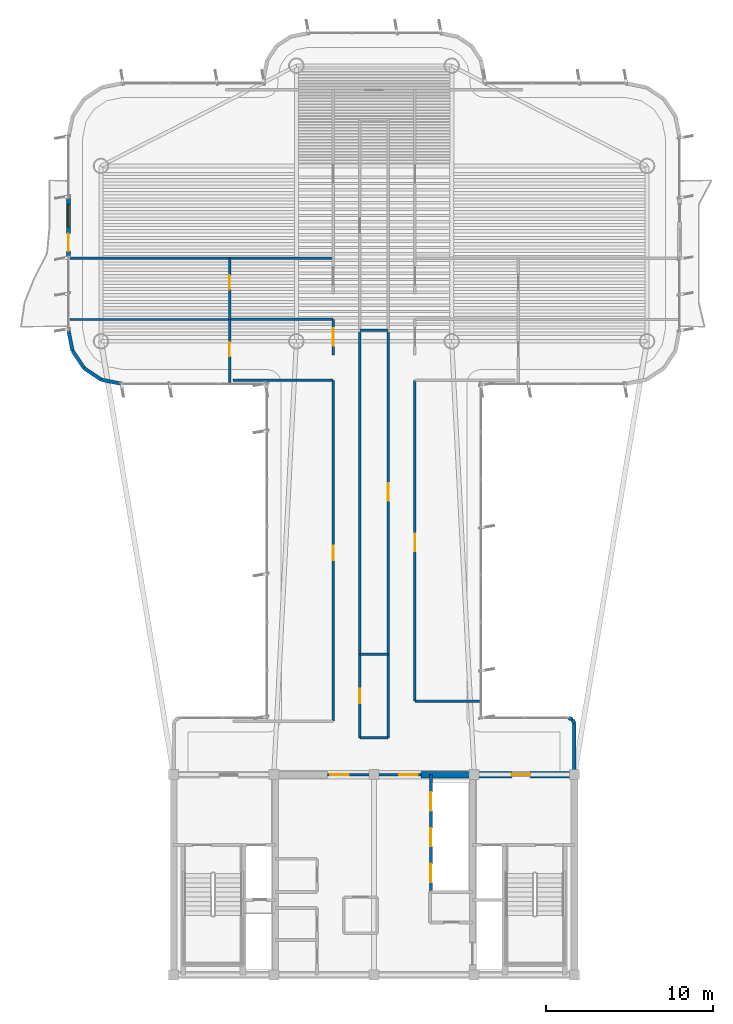
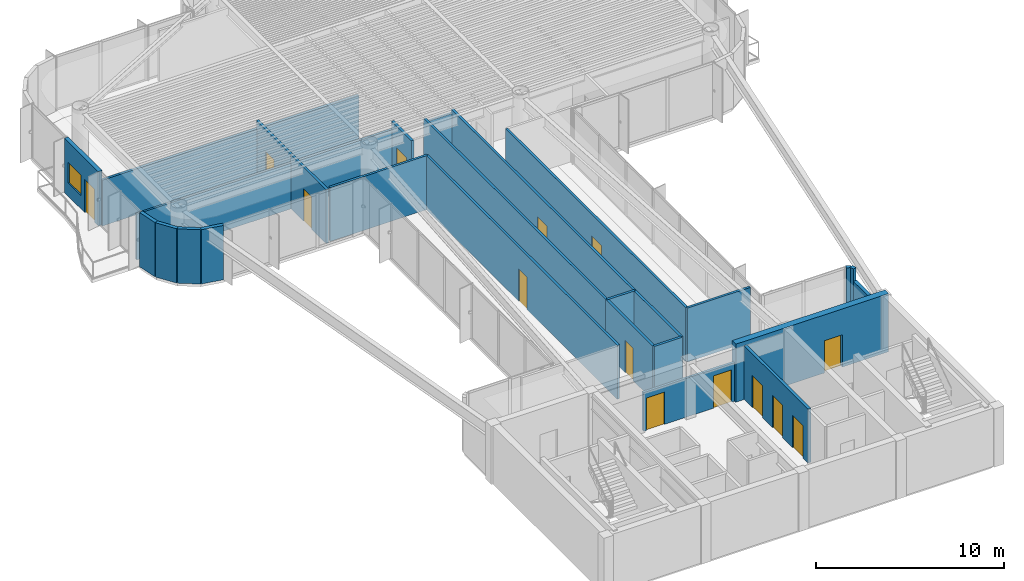
# One storey, part 11 of 15: 28 walls, 14 doors, 1 window, 15 openings.
"""IFC4 building model written with IfcOpenShell, lengths in metres."""

from ifc_helpers import new_model, si_unit, direction, frame, frame_2d, origin, origin_2d, place, context, subcontext, project, spatial, rectangle, extrude, source, transform, mapped, material, layer, layer_set, type_object, element, fill, save


model = new_model("IFC4")

# Units and contexts
model_context = context("Model", 3, precision=1e-05, world=origin(), true_north=direction((0.0, 1.0)))
body_context = subcontext(model_context, "Body", "Model", "MODEL_VIEW")
ifc_project = project(units=[si_unit("LENGTHUNIT", "METRE"), si_unit("AREAUNIT", "SQUARE_METRE"), si_unit("VOLUMEUNIT", "CUBIC_METRE"), si_unit("PLANEANGLEUNIT", "RADIAN"), si_unit("MASSUNIT", "GRAM", prefix="KILO")], contexts=[model_context])

# Site, building, storey
site_placement = place(None, origin())
site = spatial("IfcSite", under=ifc_project, at=site_placement, CompositionType="ELEMENT")
building_placement = place(site_placement, origin())
building = spatial("IfcBuilding", under=site, at=building_placement, Name="Brelvock Crest Care Tower", CompositionType="ELEMENT")
storey_placement = place(building_placement, frame((0.0, 0.0, 241.919921875)))
storey = spatial("IfcBuildingStorey", under=building, at=storey_placement, Name="L61", CompositionType="ELEMENT", Elevation=241.919921875)

# Wall, opening, door
ifc_material_1 = material(Name="Concrete S65 (65 MPa)", Category="concrete")
ifc_layer_1 = layer(ifc_material_1, 0.39990234375, Name="WL-CS4")
ifc_layer_set_1 = layer_set([ifc_layer_1], Name="Concrete S65 (65 MPa)")
wall_type_1 = type_object("IfcWallType", Name="WL-CS4", PredefinedType="SHEAR", material=ifc_layer_set_1)
wall_1_placement = place(storey_placement, frame((38.800048828125, 18.0, 0.0), z_axis=(0.0, 0.0, 1.0), x_axis=(1.0, 0.0, 0.0)))
wall_1 = element("IfcWall", 1, at=wall_1_placement, inside=storey, type_object=wall_type_1, Name="L61 Core North-East Shear Wall", PredefinedType="SHEAR", context=body_context, shape_type="SweptSolid", body=[
    extrude(rectangle(XDim=9.39990234375, YDim=0.39990234375, at=frame_2d((4.699951171875, 0.0))), origin(), (0.0, 0.0, 1.0), 3.780029296875),
])
opening_1_placement = place(wall_1_placement, frame((5.449951171875, 0.0, 0.0)))
opening_1 = element("IfcOpeningElement", 2, at=opening_1_placement, cuts=wall_1, Name="Opening FD-1", PredefinedType="OPENING", context=body_context, shape_type="SweptSolid", body=[
    extrude(rectangle(XDim=1.10009765625, YDim=2.10009765625, at=origin_2d()), frame((0.550048828125, 0.2099609375, 1.050048828125), z_axis=(0.0, -1.0, 0.0), x_axis=(1.0, 0.0, 0.0)), (0.0, 0.0, 1.0), 0.419921875),
])
ifc_material_2 = material(Name="Steel Grade 350", Category="steel")
door_type_1 = type_object("IfcDoorType", Name="DR-FFL1", OperationType="NOTDEFINED", PredefinedType="DOOR", material=ifc_material_2)
shared_shape_1 = source(origin(), body_context, "Body", "SweptSolid", [
    extrude(rectangle(XDim=1.10009765625, YDim=2.10009765625, at=origin_2d()), frame((0.550048828125, 0.02490234375, 1.050048828125), z_axis=(0.0, -1.0, 0.0), x_axis=(1.0, 0.0, 0.0)), (0.0, 0.0, 1.0), 0.050048828125),
])
door_1_placement = place(opening_1_placement, origin())
door_1 = element("IfcDoor", 3, at=door_1_placement, inside=storey, type_object=door_type_1, Name="L61 Firefighting Lobby FFL-2 Exit Door", OperationType="SINGLE_SWING_RIGHT", OverallHeight=2.10009765625, OverallWidth=1.10009765625, PredefinedType="DOOR", context=body_context, shape_type="MappedRepresentation", body=[
    mapped(shared_shape_1, transform((0.0, 0.0, 0.0), x_axis=(1.0, 0.0, 0.0), y_axis=(0.0, 1.0, 0.0), z_axis=(0.0, 0.0, 1.0), scale=1.0)),
])
fill(opening_1, door_1)

# Wall, openings, door, window
ifc_material_3 = material(Name="Precast concrete N40 (40 MPa)", Category="concrete")
ifc_layer_2 = layer(ifc_material_3, 0.239990234375, Name="WL-EX1")
ifc_layer_set_2 = layer_set([ifc_layer_2], Name="Precast concrete N40 (40 MPa)")
wall_type_2 = type_object("IfcWallType", Name="WL-EX1", PredefinedType="SOLIDWALL", material=ifc_layer_set_2)
wall_2_placement = place(storey_placement, frame((17.699951171875, 48.949951171875, 0.0), z_axis=(0.0, 0.0, 1.0), x_axis=(0.0, 1.0, 0.0)))
wall_2 = element("IfcWall", 4, at=wall_2_placement, inside=storey, type_object=wall_type_2, Name="L61 Exterior Spandrel Wall WL-BAL-L61-W", PredefinedType="SOLIDWALL", context=body_context, shape_type="SweptSolid", body=[
    extrude(rectangle(XDim=3.60009765625, YDim=0.239990234375, at=frame_2d((1.800048828125, 0.0))), origin(), (0.0, 0.0, 1.0), 3.530029296875),
])
opening_2_placement = place(wall_2_placement, frame((0.39990234375, 0.0, 0.0)))
opening_2 = element("IfcOpeningElement", 5, at=opening_2_placement, cuts=wall_2, Name="Opening BD-1", PredefinedType="OPENING", context=body_context, shape_type="SweptSolid", body=[
    extrude(rectangle(XDim=1.050048828125, YDim=2.14990234375, at=origin_2d()), frame((0.52490234375, 0.1298828125, 1.074951171875), z_axis=(0.0, -1.0, 0.0), x_axis=(1.0, 0.0, 0.0)), (0.0, 0.0, 1.0), 0.260009765625),
])
opening_3_placement = place(wall_2_placement, frame((1.85009765625, 0.0, 0.85009765625)))
opening_3 = element("IfcOpeningElement", 6, at=opening_3_placement, cuts=wall_2, Name="Opening W-01", PredefinedType="OPENING", context=body_context, shape_type="SweptSolid", body=[
    extrude(rectangle(XDim=1.35009765625, YDim=1.35009765625, at=origin_2d()), frame((0.675048828125, 0.1298828125, 0.675048828125), z_axis=(0.0, -1.0, 0.0), x_axis=(1.0, 0.0, 0.0)), (0.0, 0.0, 1.0), 0.260009765625),
])
ifc_material_4 = material(Name="Dark Glass Double Glazed Low-E", Category="glass")
door_type_2 = type_object("IfcDoorType", Name="DR-BAL1", OperationType="NOTDEFINED", PredefinedType="DOOR", material=ifc_material_4)
shared_shape_2 = source(origin(), body_context, "Body", "SweptSolid", [
    extrude(rectangle(XDim=1.050048828125, YDim=2.14990234375, at=origin_2d()), frame((0.52490234375, 0.02490234375, 1.074951171875), z_axis=(0.0, -1.0, 0.0), x_axis=(1.0, 0.0, 0.0)), (0.0, 0.0, 1.0), 0.050048828125),
])
door_2_placement = place(opening_2_placement, origin())
door_2 = element("IfcDoor", 7, at=door_2_placement, inside=storey, type_object=door_type_2, Name="L61 W Wave Balcony Glazed Door", OperationType="SINGLE_SWING_LEFT", OverallHeight=2.14990234375, OverallWidth=1.050048828125, PredefinedType="DOOR", context=body_context, shape_type="MappedRepresentation", body=[
    mapped(shared_shape_2, transform((0.0, 0.0, 0.0), x_axis=(1.0, 0.0, 0.0), y_axis=(0.0, 1.0, 0.0), z_axis=(0.0, 0.0, 1.0), scale=1.0)),
])
fill(opening_2, door_2)
window_type = type_object("IfcWindowType", Name="WN-EX1", PartitioningType="SINGLE_PANEL", PredefinedType="WINDOW", material=ifc_material_4)
shared_shape_3 = source(origin(), body_context, "Body", "SweptSolid", [
    extrude(rectangle(XDim=1.35009765625, YDim=1.35009765625, at=origin_2d()), frame((0.675048828125, 0.030029296875, 0.675048828125), z_axis=(0.0, -1.0, 0.0), x_axis=(1.0, 0.0, 0.0)), (0.0, 0.0, 1.0), 0.06005859375),
])
window_placement = place(opening_3_placement, origin())
window = element("IfcWindow", 8, at=window_placement, inside=storey, type_object=window_type, Name="L61 W Suite Casement Window", OverallHeight=1.35009765625, OverallWidth=1.35009765625, PartitioningType="SINGLE_PANEL", PredefinedType="WINDOW", context=body_context, shape_type="MappedRepresentation", body=[
    mapped(shared_shape_3, transform((0.0, 0.0, 0.0), x_axis=(1.0, 0.0, 0.0), y_axis=(0.0, 1.0, 0.0), z_axis=(0.0, 0.0, 1.0), scale=1.0)),
])
fill(opening_3, window)

# Walls
ifc_layer_3 = layer(ifc_material_3, 0.215087890625, Name="WL-EX2")
ifc_layer_set_3 = layer_set([ifc_layer_3], Name="Precast concrete N40 (40 MPa)")
wall_type_3 = type_object("IfcWallType", Name="WL-EX2", PredefinedType="SOLIDWALL", material=ifc_layer_set_3)
wall_3_placement = place(storey_placement, frame((47.8974609375, 21.297607421875, 0.0), z_axis=(0.0, 0.0, 1.0), x_axis=(0.382673670509, -0.923883575944, 0.0)))
element("IfcWall", 9, at=wall_3_placement, inside=storey, type_object=wall_type_3, Name="L61 Rounded Corner Wall 00", PredefinedType="SOLIDWALL", context=body_context, shape_type="SweptSolid", body=[
    extrude(rectangle(XDim=0.26806640625, YDim=0.215087890625, at=frame_2d((0.134033203125, 0.0))), origin(), (0.0, 0.0, 1.0), 3.530029296875),
])
wall_4_placement = place(storey_placement, frame((48.0, 21.050048828125, 0.0), z_axis=(0.0, 0.0, 1.0), x_axis=(0.0, -1.0, 0.0)))
element("IfcWall", 10, at=wall_4_placement, inside=storey, type_object=wall_type_3, Name="L61 Rounded Corner Wall 01", PredefinedType="SOLIDWALL", context=body_context, shape_type="SweptSolid", body=[
    extrude(rectangle(XDim=2.77001953125, YDim=0.215087890625, at=frame_2d((1.385009765625, 0.0))), origin(), (0.0, 0.0, 1.0), 2.718017578125),
])
for number, where, z_axis, x_axis, name in (
    (11, (20.89990234375, 41.39990234375, 0.0), (0.0, 0.0, 1.0), (-0.980775717779, 0.195138390419, 0.0), "L61 Rounded Corner Wall 13"),
    (12, (19.67529296875, 41.6435546875, 0.0), (0.0, 0.0, 1.0), (-0.831387912822, 0.555692485475, 0.0), "L61 Rounded Corner Wall 14"),
    (13, (18.63720703125, 42.33740234375, 0.0), (0.0, 0.0, 1.0), (-0.555557312883, 0.831478245117, 0.0), "L61 Rounded Corner Wall 15"),
    (14, (17.943603515625, 43.37548828125, 0.0), (0.0, 0.0, 1.0), (-0.195138390419, 0.980775717779, 0.0), "L61 Rounded Corner Wall 16"),
):
    element("IfcWall", number, at=place(storey_placement, frame(where, z_axis=z_axis, x_axis=x_axis)), inside=storey, type_object=wall_type_3, Name=name, PredefinedType="SOLIDWALL", context=body_context, shape_type="SweptSolid", body=[
        extrude(rectangle(XDim=1.24853515625, YDim=0.215087890625, at=frame_2d((0.624267578125, 0.0))), origin(), (0.0, 0.0, 1.0), 3.530029296875),
    ])
wall_5_placement = place(storey_placement, frame((47.64990234375, 21.39990234375, 0.0), z_axis=(0.0, 0.0, 1.0), x_axis=(0.924205486139, -0.381895560841, 0.0)))
element("IfcWall", 15, at=wall_5_placement, inside=storey, type_object=wall_type_3, Name="L61 Rounded Corner Wall 47", PredefinedType="SOLIDWALL", context=body_context, shape_type="SweptSolid", body=[
    extrude(rectangle(XDim=0.267822265625, YDim=0.215087890625, at=frame_2d((0.1337890625, 0.0))), origin(), (0.0, 0.0, 1.0), 3.530029296875),
])

# Wall, openings, doors
ifc_material_5 = material(Name="Masonry Blockwork Acoustic Partition", Category="masonry")
ifc_layer_4 = layer(ifc_material_5, 0.14990234375, Name="WL-INT1")
ifc_layer_set_4 = layer_set([ifc_layer_4], Name="Masonry Blockwork Acoustic Partition")
wall_type_4 = type_object("IfcWallType", Name="WL-INT1", PredefinedType="PARTITIONING", material=ifc_layer_set_4)
wall_6_placement = place(storey_placement, frame((33.199951171875, 18.0, 0.0), z_axis=(0.0, 0.0, 1.0), x_axis=(1.0, 0.0, 0.0)))
wall_6 = element("IfcWall", 16, at=wall_6_placement, inside=storey, type_object=wall_type_4, Name="L61 Interior Wall WL-CORE-NPORT-L61", PredefinedType="PARTITIONING", context=body_context, shape_type="SweptSolid", body=[
    extrude(rectangle(XDim=5.60009765625, YDim=0.14990234375, at=frame_2d((2.800048828125, 0.0))), origin(), (0.0, 0.0, 1.0), 2.51513671875),
])
opening_4_placement = place(wall_6_placement, frame((0.18994140625, 0.0, 0.0)))
opening_4 = element("IfcOpeningElement", 17, at=opening_4_placement, cuts=wall_6, Name="Opening FD-1", PredefinedType="OPENING", context=body_context, shape_type="SweptSolid", body=[
    extrude(rectangle(XDim=1.10009765625, YDim=2.10009765625, at=origin_2d()), frame((0.550048828125, 0.0849609375, 1.050048828125), z_axis=(0.0, -1.0, 0.0), x_axis=(1.0, 0.0, 0.0)), (0.0, 0.0, 1.0), 0.169921875),
])
opening_5_placement = place(wall_6_placement, frame((4.31005859375, 0.0, 0.0)))
opening_5 = element("IfcOpeningElement", 18, at=opening_5_placement, cuts=wall_6, Name="Opening FD-1", PredefinedType="OPENING", context=body_context, shape_type="SweptSolid", body=[
    extrude(rectangle(XDim=1.10009765625, YDim=2.10009765625, at=origin_2d()), frame((0.550048828125, 0.0849609375, 1.050048828125), z_axis=(0.0, -1.0, 0.0), x_axis=(1.0, 0.0, 0.0)), (0.0, 0.0, 1.0), 0.169921875),
])
door_3_placement = place(opening_4_placement, origin())
door_3 = element("IfcDoor", 19, at=door_3_placement, inside=storey, type_object=door_type_1, Name="L61 Lift Lobby North Smoke Door West", OperationType="SINGLE_SWING_LEFT", OverallHeight=2.10009765625, OverallWidth=1.10009765625, PredefinedType="DOOR", context=body_context, shape_type="MappedRepresentation", body=[
    mapped(shared_shape_1, transform((0.0, 0.0, 0.0), x_axis=(1.0, 0.0, 0.0), y_axis=(0.0, 1.0, 0.0), z_axis=(0.0, 0.0, 1.0), scale=1.0)),
])
fill(opening_4, door_3)
door_4_placement = place(opening_5_placement, origin())
door_4 = element("IfcDoor", 20, at=door_4_placement, inside=storey, type_object=door_type_1, Name="L61 Lift Lobby North Smoke Door East", OperationType="SINGLE_SWING_RIGHT", OverallHeight=2.10009765625, OverallWidth=1.10009765625, PredefinedType="DOOR", context=body_context, shape_type="MappedRepresentation", body=[
    mapped(shared_shape_1, transform((0.0, 0.0, 0.0), x_axis=(1.0, 0.0, 0.0), y_axis=(0.0, 1.0, 0.0), z_axis=(0.0, 0.0, 1.0), scale=1.0)),
])
fill(opening_5, door_4)

# Walls
wall_7_placement = place(storey_placement, frame((38.449951171875, 22.39990234375, 0.0), z_axis=(0.0, 0.0, 1.0), x_axis=(1.0, 0.0, 0.0)))
element("IfcWall", 21, at=wall_7_placement, inside=storey, type_object=wall_type_4, Name="L61 Interior Wall WL-BX-L61-THRE-S", PredefinedType="PARTITIONING", context=body_context, shape_type="SweptSolid", body=[
    extrude(rectangle(XDim=3.873291015625, YDim=0.14990234375, at=frame_2d((1.9365234375, 0.0))), origin(), (0.0, 0.0, 1.0), 3.5),
])
wall_8_placement = place(storey_placement, frame((27.557861328125, 41.60009765625, 0.0), z_axis=(0.0, 0.0, 1.0), x_axis=(1.0, 0.0, 0.0)))
element("IfcWall", 22, at=wall_8_placement, inside=storey, type_object=wall_type_4, Name="L61 Interior Wall WL-BX-L61-CS-WR1A-S", PredefinedType="PARTITIONING", context=body_context, shape_type="SweptSolid", body=[
    extrude(rectangle(XDim=5.9921875, YDim=0.14990234375, at=frame_2d((2.99609375, 0.0))), origin(), (0.0, 0.0, 1.0), 3.5),
])
wall_9_placement = place(storey_placement, frame((35.14990234375, 44.6201171875, 0.0), z_axis=(0.0, 0.0, 1.0), x_axis=(1.0, 0.0, 0.0)))
element("IfcWall", 23, at=wall_9_placement, inside=storey, type_object=wall_type_4, Name="L61 Interior Wall WL-BX-L61-ISKT-S", PredefinedType="PARTITIONING", context=body_context, shape_type="SweptSolid", body=[
    extrude(rectangle(XDim=1.7001953125, YDim=0.14990234375, at=frame_2d((0.85009765625, 0.0))), origin(), (0.0, 0.0, 1.0), 3.259033203125),
])
wall_10_placement = place(storey_placement, frame((27.35009765625, 45.25390625, 0.0), z_axis=(0.0, 0.0, 1.0), x_axis=(1.0, 0.0, 0.0)))
element("IfcWall", 24, at=wall_10_placement, inside=storey, type_object=wall_type_4, Name="L61 Interior Wall WL-BX-L61-CS-WR1A-N", PredefinedType="PARTITIONING", context=body_context, shape_type="SweptSolid", body=[
    extrude(rectangle(XDim=6.199951171875, YDim=0.14990234375, at=frame_2d((3.10009765625, 0.0))), origin(), (0.0, 0.0, 1.0), 2.982177734375),
])
wall_11_placement = place(storey_placement, frame((17.780029296875, 48.907958984375, 0.0), z_axis=(0.0, 0.0, 1.0), x_axis=(1.0, 0.0, 0.0)))
element("IfcWall", 25, at=wall_11_placement, inside=storey, type_object=wall_type_4, Name="L61 Interior Wall WL-BX-L61-WRC-S", PredefinedType="PARTITIONING", context=body_context, shape_type="SweptSolid", body=[
    extrude(rectangle(XDim=15.77001953125, YDim=0.14990234375, at=frame_2d((7.885009765625, 0.0))), origin(), (0.0, 0.0, 1.0), 2.982177734375),
])

# Wall, opening, door
wall_12_placement = place(storey_placement, frame((27.35009765625, 41.47998046875, 0.0), z_axis=(0.0, 0.0, 1.0), x_axis=(0.0, 1.0, 0.0)))
wall_12 = element("IfcWall", 26, at=wall_12_placement, inside=storey, type_object=wall_type_4, Name="L61 Interior Wall WL-RM-L61-WR1AS", PredefinedType="PARTITIONING", context=body_context, shape_type="SweptSolid", body=[
    extrude(rectangle(XDim=3.77392578125, YDim=0.14990234375, at=frame_2d((1.886962890625, 0.0))), origin(), (0.0, 0.0, 1.0), 3.5),
])
opening_6_placement = place(wall_12_placement, frame((1.56005859375, 0.0, 0.0)))
opening_6 = element("IfcOpeningElement", 27, at=opening_6_placement, cuts=wall_12, Name="Opening ID-1", PredefinedType="OPENING", context=body_context, shape_type="SweptSolid", body=[
    extrude(rectangle(XDim=0.860107421875, YDim=2.10009765625, at=origin_2d()), frame((0.43017578125, 0.0849609375, 1.050048828125), z_axis=(0.0, -1.0, 0.0), x_axis=(1.0, 0.0, 0.0)), (0.0, 0.0, 1.0), 0.169921875),
])
ifc_material_6 = material(Name="Engineered Hardwood Timber", Category="wood")
door_type_3 = type_object("IfcDoorType", Name="DR-INT1", OperationType="NOTDEFINED", PredefinedType="DOOR", material=ifc_material_6)
shared_shape_4 = source(origin(), body_context, "Body", "SweptSolid", [
    extrude(rectangle(XDim=0.860107421875, YDim=2.10009765625, at=origin_2d()), frame((0.43017578125, 0.02490234375, 1.050048828125), z_axis=(0.0, -1.0, 0.0), x_axis=(1.0, 0.0, 0.0)), (0.0, 0.0, 1.0), 0.050048828125),
])
door_5_placement = place(opening_6_placement, origin())
door_5 = element("IfcDoor", 28, at=door_5_placement, inside=storey, type_object=door_type_3, Name="L61 Rehab Recovery Mobility Store Door WR1AS", OperationType="SINGLE_SWING_LEFT", OverallHeight=2.10009765625, OverallWidth=0.860107421875, PredefinedType="DOOR", context=body_context, shape_type="MappedRepresentation", body=[
    mapped(shared_shape_4, transform((0.0, 0.0, 0.0), x_axis=(1.0, 0.0, 0.0), y_axis=(0.0, 1.0, 0.0), z_axis=(0.0, 0.0, 1.0), scale=1.0)),
])
fill(opening_6, door_5)

wall_13_placement = place(storey_placement, frame((27.35009765625, 45.25390625, 0.0), z_axis=(0.0, 0.0, 1.0), x_axis=(0.0, 1.0, 0.0)))
wall_13 = element("IfcWall", 29, at=wall_13_placement, inside=storey, type_object=wall_type_4, Name="L61 Interior Wall WL-RM-L61-WR1BS", PredefinedType="PARTITIONING", context=body_context, shape_type="SweptSolid", body=[
    extrude(rectangle(XDim=3.654052734375, YDim=0.14990234375, at=frame_2d((1.8271484375, 0.0))), origin(), (0.0, 0.0, 1.0), 3.5),
])
opening_7_placement = place(wall_13_placement, frame((1.785888671875, 0.0, 0.0)))
opening_7 = element("IfcOpeningElement", 30, at=opening_7_placement, cuts=wall_13, Name="Opening ID-1", PredefinedType="OPENING", context=body_context, shape_type="SweptSolid", body=[
    extrude(rectangle(XDim=0.860107421875, YDim=2.10009765625, at=origin_2d()), frame((0.43017578125, 0.0849609375, 1.050048828125), z_axis=(0.0, -1.0, 0.0), x_axis=(1.0, 0.0, 0.0)), (0.0, 0.0, 1.0), 0.169921875),
])
door_6_placement = place(opening_7_placement, origin())
door_6 = element("IfcDoor", 31, at=door_6_placement, inside=storey, type_object=door_type_3, Name="L61 Rehab Recovery Mobility Store Door WR1BS", OperationType="SINGLE_SWING_LEFT", OverallHeight=2.10009765625, OverallWidth=0.860107421875, PredefinedType="DOOR", context=body_context, shape_type="MappedRepresentation", body=[
    mapped(shared_shape_4, transform((0.0, 0.0, 0.0), x_axis=(1.0, 0.0, 0.0), y_axis=(0.0, 1.0, 0.0), z_axis=(0.0, 0.0, 1.0), scale=1.0)),
])
fill(opening_7, door_6)

wall_14_placement = place(storey_placement, frame((33.550048828125, 21.199951171875, 0.0), z_axis=(0.0, 0.0, 1.0), x_axis=(0.0, 1.0, 0.0)))
wall_14 = element("IfcWall", 32, at=wall_14_placement, inside=storey, type_object=wall_type_4, Name="L61 Interior Wall WL-RM-L61-THRW", PredefinedType="PARTITIONING", context=body_context, shape_type="SweptSolid", body=[
    extrude(rectangle(XDim=20.400146484375, YDim=0.14990234375, at=frame_2d((10.2001953125, 0.0))), origin(), (0.0, 0.0, 1.0), 3.5),
])
opening_8_placement = place(wall_14_placement, frame((9.639892578125, 0.0, 0.0)))
opening_8 = element("IfcOpeningElement", 33, at=opening_8_placement, cuts=wall_14, Name="Opening ID-1", PredefinedType="OPENING", context=body_context, shape_type="SweptSolid", body=[
    extrude(rectangle(XDim=0.860107421875, YDim=2.10009765625, at=origin_2d()), frame((0.43017578125, 0.0849609375, 1.050048828125), z_axis=(0.0, -1.0, 0.0), x_axis=(1.0, 0.0, 0.0)), (0.0, 0.0, 1.0), 0.169921875),
])
door_7_placement = place(opening_8_placement, origin())
door_7 = element("IfcDoor", 34, at=door_7_placement, inside=storey, type_object=door_type_3, Name="L61 Quiet Family Consultation Room Door THRW", OperationType="SINGLE_SWING_LEFT", OverallHeight=2.10009765625, OverallWidth=0.860107421875, PredefinedType="DOOR", context=body_context, shape_type="MappedRepresentation", body=[
    mapped(shared_shape_4, transform((0.0, 0.0, 0.0), x_axis=(1.0, 0.0, 0.0), y_axis=(0.0, 1.0, 0.0), z_axis=(0.0, 0.0, 1.0), scale=1.0)),
])
fill(opening_8, door_7)

wall_15_placement = place(storey_placement, frame((33.550048828125, 43.135009765625, 0.0), z_axis=(0.0, 0.0, 1.0), x_axis=(0.0, 1.0, 0.0)))
wall_15 = element("IfcWall", 35, at=wall_15_placement, inside=storey, type_object=wall_type_4, Name="L61 Interior Wall WL-CENT-L61-WR1A", PredefinedType="PARTITIONING", context=body_context, shape_type="SweptSolid", body=[
    extrude(rectangle(XDim=2.118896484375, YDim=0.14990234375, at=frame_2d((1.0595703125, 0.0))), origin(), (0.0, 0.0, 1.0), 3.5),
])
opening_9_placement = place(wall_15_placement, frame((0.5390625, 0.0, 0.0)))
opening_9 = element("IfcOpeningElement", 36, at=opening_9_placement, cuts=wall_15, Name="Opening CD-1", PredefinedType="OPENING", context=body_context, shape_type="SweptSolid", body=[
    extrude(rectangle(XDim=1.050048828125, YDim=2.10009765625, at=origin_2d()), frame((0.52490234375, 0.0849609375, 1.050048828125), z_axis=(0.0, -1.0, 0.0), x_axis=(1.0, 0.0, 0.0)), (0.0, 0.0, 1.0), 0.169921875),
])
door_type_4 = type_object("IfcDoorType", Name="DR-CARE1", OperationType="NOTDEFINED", PredefinedType="DOOR", material=ifc_material_6)
shared_shape_5 = source(origin(), body_context, "Body", "SweptSolid", [
    extrude(rectangle(XDim=1.050048828125, YDim=2.10009765625, at=origin_2d()), frame((0.52490234375, 0.02490234375, 1.050048828125), z_axis=(0.0, -1.0, 0.0), x_axis=(1.0, 0.0, 0.0)), (0.0, 0.0, 1.0), 0.050048828125),
])
door_8_placement = place(opening_9_placement, origin())
door_8 = element("IfcDoor", 37, at=door_8_placement, inside=storey, type_object=door_type_4, Name="L61 Care Suite Door WR1A", OperationType="SINGLE_SWING_LEFT", OverallHeight=2.10009765625, OverallWidth=1.050048828125, PredefinedType="DOOR", context=body_context, shape_type="MappedRepresentation", body=[
    mapped(shared_shape_5, transform((0.0, 0.0, 0.0), x_axis=(1.0, 0.0, 0.0), y_axis=(0.0, 1.0, 0.0), z_axis=(0.0, 0.0, 1.0), scale=1.0)),
])
fill(opening_9, door_8)

# Wall
wall_16_placement = place(storey_placement, frame((35.14990234375, 25.199951171875, 0.0), z_axis=(0.0, 0.0, 1.0), x_axis=(0.0, 1.0, 0.0)))
element("IfcWall", 38, at=wall_16_placement, inside=storey, type_object=wall_type_4, Name="L61 Interior Wall WL-BX-L61-ISNS-W", PredefinedType="PARTITIONING", context=body_context, shape_type="SweptSolid", body=[
    extrude(rectangle(XDim=19.420166015625, YDim=0.14990234375, at=frame_2d((9.7099609375, 0.0))), origin(), (0.0, 0.0, 1.0), 3.5),
])

# Wall, opening, door
wall_17_placement = place(storey_placement, frame((36.85009765625, 25.199951171875, 0.0), z_axis=(0.0, 0.0, 1.0), x_axis=(0.0, 1.0, 0.0)))
wall_17 = element("IfcWall", 39, at=wall_17_placement, inside=storey, type_object=wall_type_4, Name="L61 Interior Wall WL-RM-L61-ISNS", PredefinedType="PARTITIONING", context=body_context, shape_type="SweptSolid", body=[
    extrude(rectangle(XDim=19.420166015625, YDim=0.14990234375, at=frame_2d((9.7099609375, 0.0))), origin(), (0.0, 0.0, 1.0), 3.5),
])
opening_10_placement = place(wall_17_placement, frame((9.18505859375, 0.0, 0.0)))
opening_10 = element("IfcOpeningElement", 40, at=opening_10_placement, cuts=wall_17, Name="Opening CLD-1", PredefinedType="OPENING", context=body_context, shape_type="SweptSolid", body=[
    extrude(rectangle(XDim=1.050048828125, YDim=2.10009765625, at=origin_2d()), frame((0.52490234375, 0.0849609375, 1.050048828125), z_axis=(0.0, -1.0, 0.0), x_axis=(1.0, 0.0, 0.0)), (0.0, 0.0, 1.0), 0.169921875),
])
door_type_5 = type_object("IfcDoorType", Name="DR-CLN1", OperationType="NOTDEFINED", PredefinedType="DOOR", material=ifc_material_6)
shared_shape_6 = source(origin(), body_context, "Body", "SweptSolid", [
    extrude(rectangle(XDim=1.050048828125, YDim=2.10009765625, at=origin_2d()), frame((0.52490234375, 0.02490234375, 1.050048828125), z_axis=(0.0, -1.0, 0.0), x_axis=(1.0, 0.0, 0.0)), (0.0, 0.0, 1.0), 0.050048828125),
])
door_9_placement = place(opening_10_placement, origin())
door_9 = element("IfcDoor", 41, at=door_9_placement, inside=storey, type_object=door_type_5, Name="L61 Care Concierge and Triage Station Door ISNS", OperationType="SINGLE_SWING_LEFT", OverallHeight=2.10009765625, OverallWidth=1.050048828125, PredefinedType="DOOR", context=body_context, shape_type="MappedRepresentation", body=[
    mapped(shared_shape_6, transform((0.0, 0.0, 0.0), x_axis=(1.0, 0.0, 0.0), y_axis=(0.0, 1.0, 0.0), z_axis=(0.0, 0.0, 1.0), scale=1.0)),
])
fill(opening_10, door_9)

wall_18_placement = place(storey_placement, frame((38.449951171875, 22.39990234375, 0.0), z_axis=(0.0, 0.0, 1.0), x_axis=(0.0, 1.0, 0.0)))
wall_18 = element("IfcWall", 42, at=wall_18_placement, inside=storey, type_object=wall_type_4, Name="L61 Interior Wall WL-RM-L61-THRE", PredefinedType="PARTITIONING", context=body_context, shape_type="SweptSolid", body=[
    extrude(rectangle(XDim=19.2001953125, YDim=0.14990234375, at=frame_2d((9.60009765625, 0.0))), origin(), (0.0, 0.0, 1.0), 3.5),
])
opening_11_placement = place(wall_18_placement, frame((8.97509765625, 0.0, 0.0)))
opening_11 = element("IfcOpeningElement", 43, at=opening_11_placement, cuts=wall_18, Name="Opening CLD-1", PredefinedType="OPENING", context=body_context, shape_type="SweptSolid", body=[
    extrude(rectangle(XDim=1.050048828125, YDim=2.10009765625, at=origin_2d()), frame((0.52490234375, 0.0849609375, 1.050048828125), z_axis=(0.0, -1.0, 0.0), x_axis=(1.0, 0.0, 0.0)), (0.0, 0.0, 1.0), 0.169921875),
])
door_10_placement = place(opening_11_placement, origin())
door_10 = element("IfcDoor", 44, at=door_10_placement, inside=storey, type_object=door_type_5, Name="L61 Allied Health Therapy Room Door THRE", OperationType="SINGLE_SWING_LEFT", OverallHeight=2.10009765625, OverallWidth=1.050048828125, PredefinedType="DOOR", context=body_context, shape_type="MappedRepresentation", body=[
    mapped(shared_shape_6, transform((0.0, 0.0, 0.0), x_axis=(1.0, 0.0, 0.0), y_axis=(0.0, 1.0, 0.0), z_axis=(0.0, 0.0, 1.0), scale=1.0)),
])
fill(opening_11, door_10)

# Walls
ifc_material_7 = material(Name="Gypsum Plasterboard Partition", Category="gypsum")
ifc_layer_5 = layer(ifc_material_7, 0.1201171875, Name="WL-INT2")
ifc_layer_set_5 = layer_set([ifc_layer_5], Name="Gypsum Plasterboard Partition")
wall_type_5 = type_object("IfcWallType", Name="WL-INT2", PredefinedType="PARTITIONING", material=ifc_layer_set_5)
wall_19_placement = place(storey_placement, frame((17.780029296875, 45.25390625, 0.0), z_axis=(0.0, 0.0, 1.0), x_axis=(1.0, 0.0, 0.0)))
element("IfcWall", 45, at=wall_19_placement, inside=storey, type_object=wall_type_5, Name="L61 Interior Wall WL-BX-L61-WR1AS-N", PredefinedType="PARTITIONING", context=body_context, shape_type="SweptSolid", body=[
    extrude(rectangle(XDim=9.570068359375, YDim=0.1201171875, at=frame_2d((4.78515625, 0.0))), origin(), (0.0, 0.0, 1.0), 2.982177734375),
])
ifc_layer_6 = layer(ifc_material_7, 0.159912109375, Name="WL-PLM1")
ifc_layer_set_6 = layer_set([ifc_layer_6], Name="Gypsum Plasterboard Partition")
wall_type_6 = type_object("IfcWallType", Name="WL-PLM1", PredefinedType="PLUMBINGWALL", material=ifc_layer_set_6)
for number, where, z_axis, x_axis, name in (
    (46, (35.14990234375, 20.199951171875, 0.0), (0.0, 0.0, 1.0), (1.0, 0.0, 0.0), "L61 Interior Wall WL-BX-L61-ISWC-S"),
    (47, (35.14990234375, 25.199951171875, 0.0), (0.0, 0.0, 1.0), (1.0, 0.0, 0.0), "L61 Interior Wall WL-BX-L61-ISNS-S"),
):
    element("IfcWall", number, at=place(storey_placement, frame(where, z_axis=z_axis, x_axis=x_axis)), inside=storey, type_object=wall_type_6, Name=name, PredefinedType="PLUMBINGWALL", context=body_context, shape_type="SweptSolid", body=[
        extrude(rectangle(XDim=1.7001953125, YDim=0.159912109375, at=frame_2d((0.85009765625, 0.0))), origin(), (0.0, 0.0, 1.0), 3.5),
    ])

# Wall, opening, door
wall_20_placement = place(storey_placement, frame((35.14990234375, 20.199951171875, 0.0), z_axis=(0.0, 0.0, 1.0), x_axis=(0.0, 1.0, 0.0)))
wall_20 = element("IfcWall", 48, at=wall_20_placement, inside=storey, type_object=wall_type_6, Name="L61 Interior Wall WL-RM-L61-ISWC", PredefinedType="PLUMBINGWALL", context=body_context, shape_type="SweptSolid", body=[
    extrude(rectangle(XDim=5.0, YDim=0.159912109375, at=frame_2d((2.5, 0.0))), origin(), (0.0, 0.0, 1.0), 3.5),
])
opening_12_placement = place(wall_20_placement, frame((2.070068359375, 0.0, 0.0)))
opening_12 = element("IfcOpeningElement", 49, at=opening_12_placement, cuts=wall_20, Name="Opening WD-1", PredefinedType="OPENING", context=body_context, shape_type="SweptSolid", body=[
    extrude(rectangle(XDim=0.860107421875, YDim=2.10009765625, at=origin_2d()), frame((0.43017578125, 0.08984375, 1.050048828125), z_axis=(0.0, -1.0, 0.0), x_axis=(1.0, 0.0, 0.0)), (0.0, 0.0, 1.0), 0.179931640625),
])
door_type_6 = type_object("IfcDoorType", Name="DR-WC1", OperationType="NOTDEFINED", PredefinedType="DOOR", material=ifc_material_6)
shared_shape_7 = source(origin(), body_context, "Body", "SweptSolid", [
    extrude(rectangle(XDim=0.860107421875, YDim=2.10009765625, at=origin_2d()), frame((0.43017578125, 0.02490234375, 1.050048828125), z_axis=(0.0, -1.0, 0.0), x_axis=(1.0, 0.0, 0.0)), (0.0, 0.0, 1.0), 0.050048828125),
])
door_11_placement = place(opening_12_placement, origin())
door_11 = element("IfcDoor", 50, at=door_11_placement, inside=storey, type_object=door_type_6, Name="L61 High-Zone Accessible WC Door ISWC", OperationType="SINGLE_SWING_LEFT", OverallHeight=2.10009765625, OverallWidth=0.860107421875, PredefinedType="DOOR", context=body_context, shape_type="MappedRepresentation", body=[
    mapped(shared_shape_7, transform((0.0, 0.0, 0.0), x_axis=(1.0, 0.0, 0.0), y_axis=(0.0, 1.0, 0.0), z_axis=(0.0, 0.0, 1.0), scale=1.0)),
])
fill(opening_12, door_11)

# Wall
wall_21_placement = place(storey_placement, frame((36.85009765625, 20.199951171875, 0.0), z_axis=(0.0, 0.0, 1.0), x_axis=(0.0, 1.0, 0.0)))
element("IfcWall", 51, at=wall_21_placement, inside=storey, type_object=wall_type_6, Name="L61 Interior Wall WL-BX-L61-ISWC-E", PredefinedType="PLUMBINGWALL", context=body_context, shape_type="SweptSolid", body=[
    extrude(rectangle(XDim=5.0, YDim=0.159912109375, at=frame_2d((2.5, 0.0))), origin(), (0.0, 0.0, 1.0), 3.5),
])

# Wall, openings, doors
ifc_layer_7 = layer(ifc_material_5, 0.179931640625, Name="WL-SHF1")
ifc_layer_set_7 = layer_set([ifc_layer_7], Name="Masonry Blockwork Acoustic Partition")
wall_type_7 = type_object("IfcWallType", Name="WL-SHF1", PredefinedType="PARTITIONING", material=ifc_layer_set_7)
wall_22_placement = place(storey_placement, frame((39.39990234375, 11.0, 0.0), z_axis=(0.0, 0.0, 1.0), x_axis=(0.0, 1.0, 0.0)))
wall_22 = element("IfcWall", 52, at=wall_22_placement, inside=storey, type_object=wall_type_7, Name="L61 Interior Wall WL-PLH-BANK-L61", PredefinedType="PARTITIONING", context=body_context, shape_type="SweptSolid", body=[
    extrude(rectangle(XDim=7.0, YDim=0.179931640625, at=frame_2d((3.5, 0.0))), origin(), (0.0, 0.0, 1.0), 3.5),
])
opening_13_placement = place(wall_22_placement, frame((0.550048828125, 0.0, 0.0)))
opening_13 = element("IfcOpeningElement", 53, at=opening_13_placement, cuts=wall_22, Name="Opening LD", PredefinedType="OPENING", context=body_context, shape_type="SweptSolid", body=[
    extrude(rectangle(XDim=1.10009765625, YDim=2.10009765625, at=origin_2d()), frame((0.550048828125, 0.10009765625, 1.050048828125), z_axis=(0.0, -1.0, 0.0), x_axis=(1.0, 0.0, 0.0)), (0.0, 0.0, 1.0), 0.199951171875),
])
opening_14_placement = place(wall_22_placement, frame((2.699951171875, 0.0, 0.0)))
opening_14 = element("IfcOpeningElement", 54, at=opening_14_placement, cuts=wall_22, Name="Opening LD", PredefinedType="OPENING", context=body_context, shape_type="SweptSolid", body=[
    extrude(rectangle(XDim=1.10009765625, YDim=2.10009765625, at=origin_2d()), frame((0.550048828125, 0.10009765625, 1.050048828125), z_axis=(0.0, -1.0, 0.0), x_axis=(1.0, 0.0, 0.0)), (0.0, 0.0, 1.0), 0.199951171875),
])
opening_15_placement = place(wall_22_placement, frame((4.85009765625, 0.0, 0.0)))
opening_15 = element("IfcOpeningElement", 55, at=opening_15_placement, cuts=wall_22, Name="Opening LD", PredefinedType="OPENING", context=body_context, shape_type="SweptSolid", body=[
    extrude(rectangle(XDim=1.10009765625, YDim=2.10009765625, at=origin_2d()), frame((0.550048828125, 0.10009765625, 1.050048828125), z_axis=(0.0, -1.0, 0.0), x_axis=(1.0, 0.0, 0.0)), (0.0, 0.0, 1.0), 0.199951171875),
])
door_type_7 = type_object("IfcDoorType", Name="DR-LD1", OperationType="NOTDEFINED", PredefinedType="DOOR", material=ifc_material_2)
shared_shape_8 = source(origin(), body_context, "Body", "SweptSolid", [
    extrude(rectangle(XDim=1.10009765625, YDim=2.10009765625, at=origin_2d()), frame((0.550048828125, 0.02490234375, 1.050048828125), z_axis=(0.0, -1.0, 0.0), x_axis=(1.0, 0.0, 0.0)), (0.0, 0.0, 1.0), 0.050048828125),
])
door_12_placement = place(opening_13_placement, origin())
door_12 = element("IfcDoor", 56, at=door_12_placement, inside=storey, type_object=door_type_7, Name="L61 Lift PL-H1 Landing Door", OperationType="SLIDING_TO_RIGHT", OverallHeight=2.10009765625, OverallWidth=1.10009765625, PredefinedType="DOOR", context=body_context, shape_type="MappedRepresentation", body=[
    mapped(shared_shape_8, transform((0.0, 0.0, 0.0), x_axis=(1.0, 0.0, 0.0), y_axis=(0.0, 1.0, 0.0), z_axis=(0.0, 0.0, 1.0), scale=1.0)),
])
fill(opening_13, door_12)
door_13_placement = place(opening_14_placement, origin())
door_13 = element("IfcDoor", 57, at=door_13_placement, inside=storey, type_object=door_type_7, Name="L61 Lift PL-H2 Landing Door", OperationType="SLIDING_TO_RIGHT", OverallHeight=2.10009765625, OverallWidth=1.10009765625, PredefinedType="DOOR", context=body_context, shape_type="MappedRepresentation", body=[
    mapped(shared_shape_8, transform((0.0, 0.0, 0.0), x_axis=(1.0, 0.0, 0.0), y_axis=(0.0, 1.0, 0.0), z_axis=(0.0, 0.0, 1.0), scale=1.0)),
])
fill(opening_14, door_13)
door_14_placement = place(opening_15_placement, origin())
door_14 = element("IfcDoor", 58, at=door_14_placement, inside=storey, type_object=door_type_7, Name="L61 Lift PL-H3 Landing Door", OperationType="SLIDING_TO_RIGHT", OverallHeight=2.10009765625, OverallWidth=1.10009765625, PredefinedType="DOOR", context=body_context, shape_type="MappedRepresentation", body=[
    mapped(shared_shape_8, transform((0.0, 0.0, 0.0), x_axis=(1.0, 0.0, 0.0), y_axis=(0.0, 1.0, 0.0), z_axis=(0.0, 0.0, 1.0), scale=1.0)),
])
fill(opening_15, door_14)

save(model, "model.ifc")
